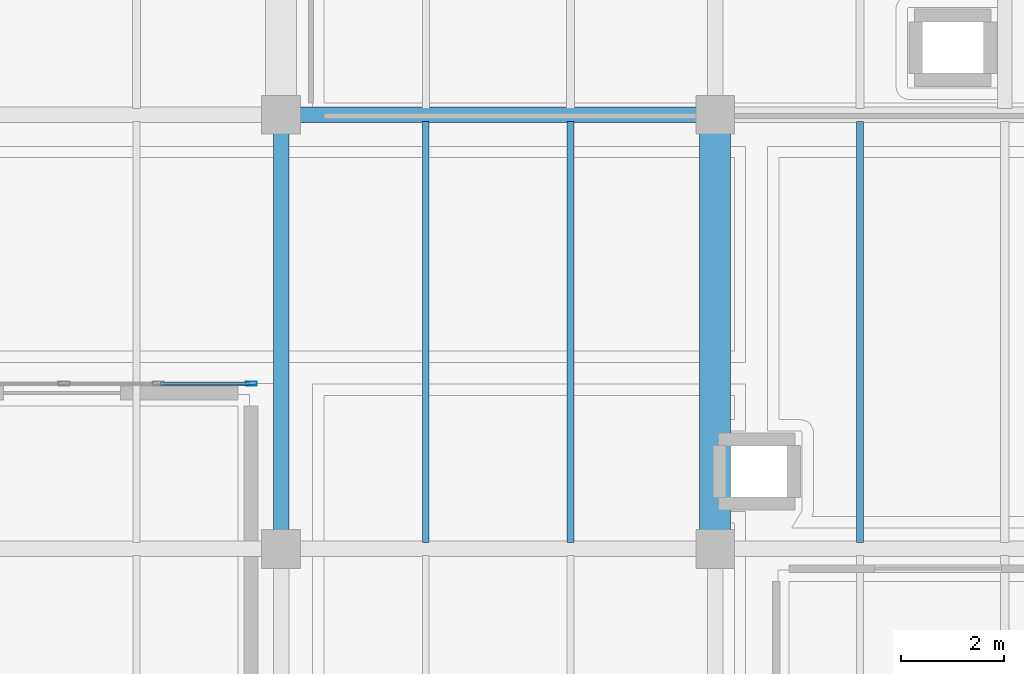
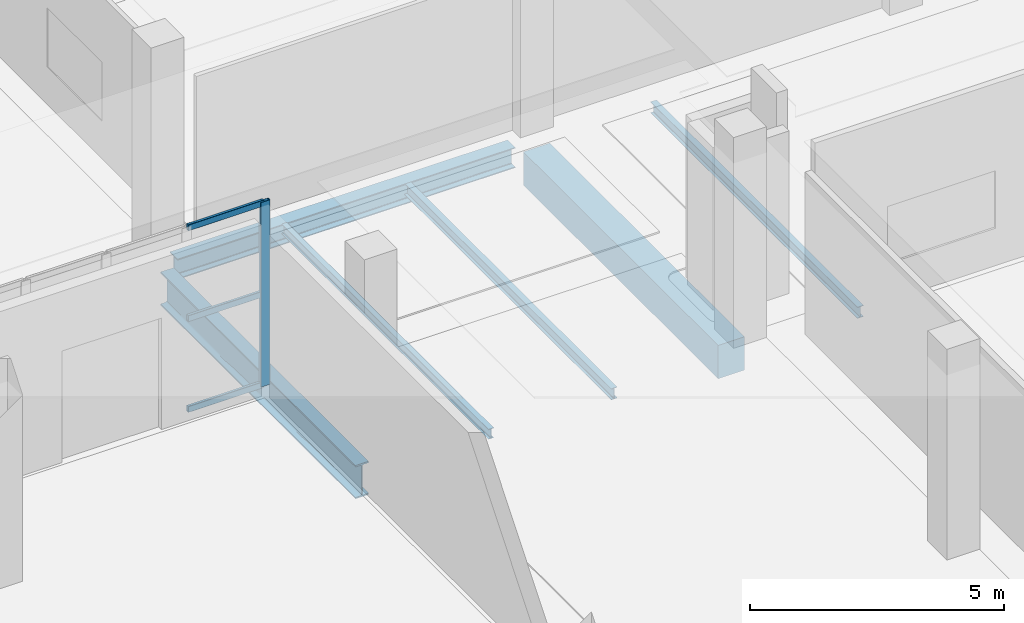
# One storey, part 44 of 77: 6 beams, 4 members, 1 element without a shape of its own.
"""IFC4 building model written with IfcOpenShell, lengths in metres."""

from ifc_helpers import new_model, si_unit, direction, frame, origin, origin_2d, place, context, subcontext, project, spatial, rectangle, hollow_rectangle, i_section, extrude, material, layer, layer_set, material_profile, profile_set, type_object, element, aggregate, save


model = new_model("IFC4")

# Units and contexts
model_context = context("Model", 3, precision=1e-05, world=origin(), true_north=direction((0.0, 1.0)))
body_context = subcontext(model_context, "Body", "Model", "MODEL_VIEW")
ifc_project = project(units=[si_unit("LENGTHUNIT", "METRE"), si_unit("AREAUNIT", "SQUARE_METRE"), si_unit("VOLUMEUNIT", "CUBIC_METRE"), si_unit("PLANEANGLEUNIT", "RADIAN"), si_unit("MASSUNIT", "GRAM", prefix="KILO")], contexts=[model_context])

# Site, building, storey
site_placement = place(None, origin())
site = spatial("IfcSite", under=ifc_project, at=site_placement, CompositionType="ELEMENT")
building_placement = place(site_placement, origin())
building = spatial("IfcBuilding", under=site, at=building_placement, Name="Zulmaris Art Gallery", CompositionType="ELEMENT")
storey_placement = place(building_placement, frame((0.0, 0.0, 15.60009765625)))
storey = spatial("IfcBuildingStorey", under=building, at=storey_placement, Name="L03", CompositionType="ELEMENT", Elevation=15.60009765625)

# Beams
ifc_material_1 = material(Name="Steel S355J2", Category="steel")
ifc_material_profile_1 = material_profile(ifc_material_1, i_section(OverallWidth=0.300048828125, OverallDepth=0.489990234375, WebThickness=0.011962890625, FlangeThickness=0.02294921875, FilletRadius=0.027099609375, at=origin_2d()), Name="HEA 500")
ifc_profile_set_1 = profile_set([ifc_material_profile_1], Name="Steel S355J2")
beam_type_1 = type_object("IfcBeamType", Name="BEAM-BM11", PredefinedType="BEAM", material=ifc_profile_set_1)
beam_1_placement = place(storey_placement, frame((141.9599609375, 67.199951171875, -0.614990234375), z_axis=(1.0, 0.0, 0.0), x_axis=(0.0, 1.0, 0.0)))
element("IfcBeam", 1, at=beam_1_placement, inside=storey, type_object=beam_type_1, Name="L03 X-girder (141.6..150.0, y=67.2)", PredefinedType="BEAM", context=body_context, shape_type="SweptSolid", body=[
    extrude(i_section(OverallWidth=0.300048828125, OverallDepth=0.489990234375, WebThickness=0.011962890625, FlangeThickness=0.02294921875, FilletRadius=0.027099609375, at=origin_2d()), origin(), (0.0, 0.0, 1.0), 7.679931640625),
])
ifc_material_profile_2 = material_profile(ifc_material_1, i_section(OverallWidth=0.300048828125, OverallDepth=0.800048828125, WebThickness=0.017578125, FlangeThickness=0.032958984375, FilletRadius=0.030029296875, at=origin_2d()), Name="HEB 800")
ifc_profile_set_2 = profile_set([ifc_material_profile_2], Name="Steel S355J2")
beam_type_2 = type_object("IfcBeamType", Name="BEAM-BM17", PredefinedType="BEAM", material=ifc_profile_set_2)
beam_2_placement = place(storey_placement, frame((141.60009765625, 59.159912109375, -0.77001953125), z_axis=(0.0, 1.0, 0.0), x_axis=(-1.0, 0.0, 0.0)))
element("IfcBeam", 2, at=beam_2_placement, inside=storey, type_object=beam_type_2, Name="L03 Y-girder (x=141.6, 58.8..67.2)", PredefinedType="BEAM", context=body_context, shape_type="SweptSolid", body=[
    extrude(i_section(OverallWidth=0.300048828125, OverallDepth=0.800048828125, WebThickness=0.017578125, FlangeThickness=0.032958984375, FilletRadius=0.030029296875, at=origin_2d()), origin(), (0.0, 0.0, 1.0), 7.68017578125),
])
ifc_material_2 = material(Name="Concrete C40/50", Category="concrete")
ifc_material_profile_3 = material_profile(ifc_material_2, rectangle(XDim=0.60009765625, YDim=0.800048828125, at=origin_2d()), Name="RC 600x800")
ifc_profile_set_3 = profile_set([ifc_material_profile_3], Name="Concrete C40/50")
beam_type_3 = type_object("IfcBeamType", Name="BEAM-BM27", PredefinedType="BEAM", material=ifc_profile_set_3)
beam_3_placement = place(storey_placement, frame((150.0, 59.159912109375, -0.77001953125), z_axis=(0.0, 1.0, 0.0), x_axis=(-1.0, 0.0, 0.0)))
element("IfcBeam", 3, at=beam_3_placement, inside=storey, type_object=beam_type_3, Name="L03 Y-girder (x=150.0, 58.8..67.2)", PredefinedType="BEAM", context=body_context, shape_type="SweptSolid", body=[
    extrude(rectangle(XDim=0.60009765625, YDim=0.800048828125, at=origin_2d()), origin(), (0.0, 0.0, 1.0), 7.68017578125),
])
ifc_material_profile_4 = material_profile(ifc_material_1, i_section(OverallWidth=0.1201171875, OverallDepth=0.239990234375, WebThickness=0.006103515625, FlangeThickness=0.009765625, FilletRadius=0.014892578125, at=origin_2d()), Name="IPE 240")
ifc_profile_set_4 = profile_set([ifc_material_profile_4], Name="Steel S355J2")
beam_type_4 = type_object("IfcBeamType", Name="BEAM-JS01", PredefinedType="JOIST", material=ifc_profile_set_4)
beam_4_placement = place(storey_placement, frame((144.39990234375, 58.925048828125, -0.489990234375), z_axis=(0.0, 1.0, 0.0), x_axis=(-1.0, 0.0, 0.0)))
element("IfcBeam", 4, at=beam_4_placement, inside=storey, type_object=beam_type_4, Name="L03 secondary joist at x=144.4", PredefinedType="JOIST", context=body_context, shape_type="SweptSolid", body=[
    extrude(i_section(OverallWidth=0.1201171875, OverallDepth=0.239990234375, WebThickness=0.006103515625, FlangeThickness=0.009765625, FilletRadius=0.014892578125, at=origin_2d()), origin(), (0.0, 0.0, 1.0), 8.14990234375),
])
ifc_material_profile_5 = material_profile(ifc_material_1, i_section(OverallWidth=0.135009765625, OverallDepth=0.27001953125, WebThickness=0.006591796875, FlangeThickness=0.01025390625, FilletRadius=0.014892578125, at=origin_2d()), Name="IPE 270")
ifc_profile_set_5 = profile_set([ifc_material_profile_5], Name="Steel S355J2")
beam_type_5 = type_object("IfcBeamType", Name="BEAM-JS02", PredefinedType="JOIST", material=ifc_profile_set_5)
for number, where, z_axis, x_axis, name in (
    (5, (147.199951171875, 58.925048828125, -0.505126953125), (0.0, 1.0, 0.0), (-1.0, 0.0, 0.0), "L03 secondary joist at x=147.2"),
    (6, (152.800048828125, 58.925048828125, -0.505126953125), (0.0, 1.0, 0.0), (-1.0, 0.0, 0.0), "L03 secondary joist at x=152.8"),
):
    element("IfcBeam", number, at=place(storey_placement, frame(where, z_axis=z_axis, x_axis=x_axis)), inside=storey, type_object=beam_type_5, Name=name, PredefinedType="JOIST", context=body_context, shape_type="SweptSolid", body=[
        extrude(i_section(OverallWidth=0.135009765625, OverallDepth=0.27001953125, WebThickness=0.006591796875, FlangeThickness=0.01025390625, FilletRadius=0.014892578125, at=origin_2d()), origin(), (0.0, 0.0, 1.0), 8.14990234375),
    ])

# Curtain wall, members
ifc_material_3 = material(Name="Unitised Low-E Gallery Curtain Wall", Category="aluminium")
ifc_layer = layer(ifc_material_3, 0.179931640625)
ifc_layer_set = layer_set([ifc_layer], Name="Unitised Low-E Gallery Curtain Wall")
curtain_wall_type = type_object("IfcCurtainWallType", Name="CW-CW01", PredefinedType="NOTDEFINED", material=ifc_layer_set)
curtain_wall_placement = place(storey_placement, origin())
curtain_wall = element("IfcCurtainWall", 7, at=curtain_wall_placement, inside=storey, type_object=curtain_wall_type, Name="L03 curtain wall 118", PredefinedType="NOTDEFINED")
ifc_material_4 = material(Name="Anodised Bronze Aluminium", Category="aluminium")
ifc_material_profile_6 = material_profile(ifc_material_4, hollow_rectangle(XDim=0.074951171875, YDim=0.219970703125, WallThickness=0.0048828125, InnerFilletRadius=0.007568359375, OuterFilletRadius=0.012451171875, at=origin_2d()), Name="ALU 75x220x5")
ifc_profile_set_6 = profile_set([ifc_material_profile_6], Name="Anodised Bronze Aluminium")
member_type_1 = type_object("IfcMemberType", Name="CWMUL-02", PredefinedType="MULLION", material=ifc_profile_set_6)
member_1_placement = place(storey_placement, frame((141.0224609375, 62.0, 0.0), z_axis=(0.0, 0.0, 1.0), x_axis=(0.0, 1.0, 0.0)))
member_1 = element("IfcMember", 8, at=member_1_placement, type_object=member_type_1, Name="CW01 mullion 5", PredefinedType="MULLION", context=body_context, shape_type="SweptSolid", body=[
    extrude(hollow_rectangle(XDim=0.074951171875, YDim=0.219970703125, WallThickness=0.0048828125, InnerFilletRadius=0.007568359375, OuterFilletRadius=0.012451171875, at=origin_2d()), origin(), (0.0, 0.0, 1.0), 4.43994140625),
])
ifc_material_profile_7 = material_profile(ifc_material_4, hollow_rectangle(XDim=0.06494140625, YDim=0.14990234375, WallThickness=0.00390625, InnerFilletRadius=0.006103515625, OuterFilletRadius=0.010009765625, at=origin_2d()), Name="ALU 65x150x4")
ifc_profile_set_7 = profile_set([ifc_material_profile_7], Name="Anodised Bronze Aluminium")
member_type_2 = type_object("IfcMemberType", Name="CWTRN-01", PredefinedType="USERDEFINED", material=ifc_profile_set_7)
member_2_placement = place(storey_placement, frame((139.267578125, 62.0, 0.037353515625), z_axis=(1.0, 0.0, 0.0), x_axis=(0.0, 1.0, 0.0)))
member_2 = element("IfcMember", 9, at=member_2_placement, type_object=member_type_2, Name="CW01 transom 4.1", ObjectType="TRANSOM", PredefinedType="USERDEFINED", context=body_context, shape_type="SweptSolid", body=[
    extrude(hollow_rectangle(XDim=0.06494140625, YDim=0.14990234375, WallThickness=0.00390625, InnerFilletRadius=0.006103515625, OuterFilletRadius=0.010009765625, at=origin_2d()), origin(), (0.0, 0.0, 1.0), 1.717529296875),
])
member_3_placement = place(storey_placement, frame((139.267578125, 62.0, 2.219970703125), z_axis=(1.0, 0.0, 0.0), x_axis=(0.0, 1.0, 0.0)))
member_3 = element("IfcMember", 10, at=member_3_placement, type_object=member_type_2, Name="CW01 transom 4.2", ObjectType="TRANSOM", PredefinedType="USERDEFINED", context=body_context, shape_type="SweptSolid", body=[
    extrude(hollow_rectangle(XDim=0.06494140625, YDim=0.14990234375, WallThickness=0.00390625, InnerFilletRadius=0.006103515625, OuterFilletRadius=0.010009765625, at=origin_2d()), origin(), (0.0, 0.0, 1.0), 1.717529296875),
])
member_4_placement = place(storey_placement, frame((139.267578125, 62.0, 4.40234375), z_axis=(1.0, 0.0, 0.0), x_axis=(0.0, 1.0, 0.0)))
member_4 = element("IfcMember", 11, at=member_4_placement, type_object=member_type_2, Name="CW01 transom 4.3", ObjectType="TRANSOM", PredefinedType="USERDEFINED", context=body_context, shape_type="SweptSolid", body=[
    extrude(hollow_rectangle(XDim=0.06494140625, YDim=0.14990234375, WallThickness=0.00390625, InnerFilletRadius=0.006103515625, OuterFilletRadius=0.010009765625, at=origin_2d()), origin(), (0.0, 0.0, 1.0), 1.717529296875),
])
aggregate(curtain_wall, [member_1, member_2, member_3, member_4])

save(model, "model.ifc")
